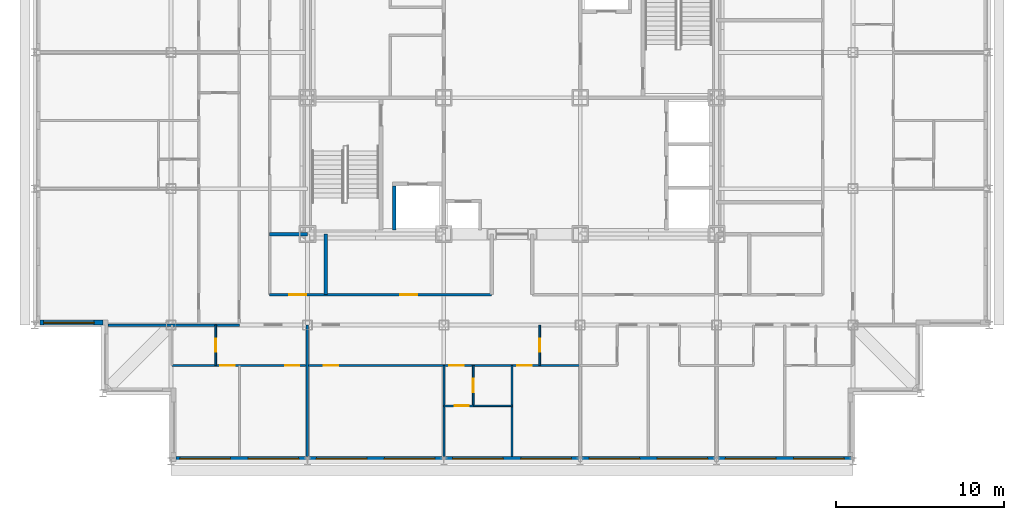
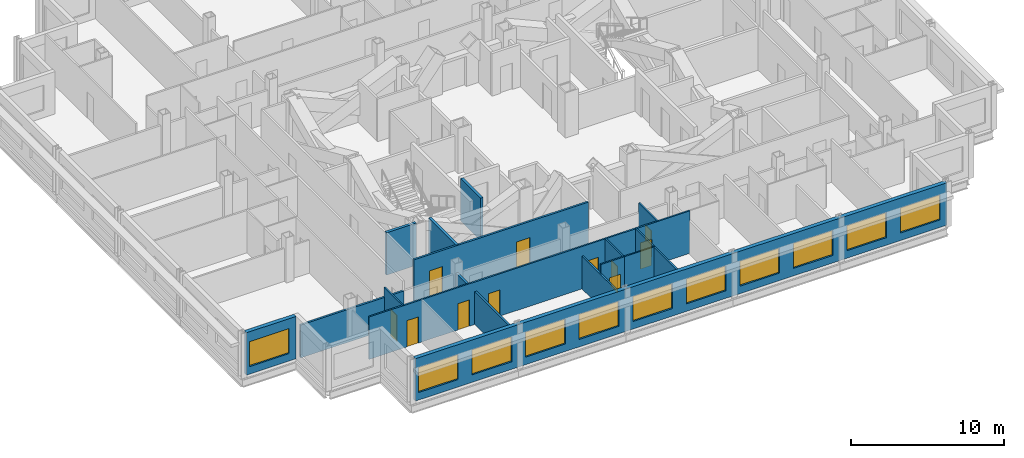
# One storey, part 4 of 12: 16 walls, 11 doors, 11 windows, 22 openings.
"""IFC4 building model written with IfcOpenShell, lengths in metres."""

from ifc_helpers import new_model, si_unit, direction, frame, frame_2d, origin, place, context, subcontext, project, spatial, rectangle, extrude, material, layer, layer_set, type_object, element, fill, save


model = new_model("IFC4")

# Units and contexts
model_context = context("Model", 3, precision=1e-05, world=origin(), true_north=direction((0.0, 1.0)))
body_context = subcontext(model_context, "Body", "Model", "MODEL_VIEW")
ifc_project = project(units=[si_unit("LENGTHUNIT", "METRE"), si_unit("AREAUNIT", "SQUARE_METRE"), si_unit("VOLUMEUNIT", "CUBIC_METRE"), si_unit("PLANEANGLEUNIT", "RADIAN"), si_unit("MASSUNIT", "GRAM", prefix="KILO")], contexts=[model_context])

# Site, building, storey
site_placement = place(None, origin())
site = spatial("IfcSite", under=ifc_project, at=site_placement, CompositionType="ELEMENT")
building_placement = place(site_placement, origin())
building = spatial("IfcBuilding", under=site, at=building_placement, Name="Kopane Lantern Tower", CompositionType="ELEMENT")
storey_placement = place(building_placement, frame((0.0, 0.0, 220.800048828125)))
storey = spatial("IfcBuildingStorey", under=building, at=storey_placement, Name="L57", CompositionType="ELEMENT", Elevation=220.800048828125)

# Walls
ifc_material_1 = material(Name="Gypsum board on steel studs", Category="steel")
ifc_layer_1 = layer(ifc_material_1, 0.1201171875)
ifc_layer_set_1 = layer_set([ifc_layer_1], Name="APARTMENT INTERNAL WALL 120")
wall_type_1 = type_object("IfcWallType", Name="APARTMENT INTERNAL WALL 120", PredefinedType="PARTITIONING", material=ifc_layer_set_1)
wall_1_placement = place(storey_placement, frame((24.300048828125, 16.5, 0.0), z_axis=(0.0, 0.0, 1.0), x_axis=(0.0, -1.0, 0.0)))
element("IfcWall", 1, at=wall_1_placement, inside=storey, type_object=wall_type_1, Name="Apartment Internal Wall 120 L57", PredefinedType="PARTITIONING", context=body_context, shape_type="SweptSolid", body=[
    extrude(rectangle(XDim=5.39990234375, YDim=0.1201171875, at=frame_2d((2.699951171875, 0.0))), origin(), (0.0, 0.0, 1.0), 2.627685546875),
])
wall_2_placement = place(storey_placement, frame((28.35009765625, 16.5, 0.0), z_axis=(0.0, 0.0, 1.0), x_axis=(0.0, -1.0, 0.0)))
element("IfcWall", 2, at=wall_2_placement, inside=storey, type_object=wall_type_1, Name="Apartment Internal Wall 120 L57", PredefinedType="PARTITIONING", context=body_context, shape_type="SweptSolid", body=[
    extrude(rectangle(XDim=5.39990234375, YDim=0.1201171875, at=frame_2d((2.699951171875, 0.0))), origin(), (0.0, 0.0, 1.0), 3.389892578125),
])

# Wall, openings, doors
wall_3_placement = place(storey_placement, frame((8.14990234375, 16.5, 0.0), z_axis=(0.0, 0.0, 1.0), x_axis=(1.0, 0.0, 0.0)))
wall_3 = element("IfcWall", 3, at=wall_3_placement, inside=storey, type_object=wall_type_1, Name="Apartment Internal Wall 120 L57", PredefinedType="PARTITIONING", context=body_context, shape_type="SweptSolid", body=[
    extrude(rectangle(XDim=24.25, YDim=0.1201171875, at=frame_2d((12.125, 0.0))), origin(), (0.0, 0.0, 1.0), 3.389892578125),
])
opening_1_placement = place(wall_3_placement, frame((9.02490234375, 0.0, 0.0)))
opening_1 = element("IfcOpeningElement", 4, at=opening_1_placement, cuts=wall_3, Name="Opening L57-014", PredefinedType="OPENING", context=body_context, shape_type="SweptSolid", body=[
    extrude(rectangle(XDim=0.85009765625, YDim=2.10009765625, at=frame_2d((0.425048828125, 1.050048828125))), frame((0.0, 0.070068359375, 0.0), z_axis=(0.0, -1.0, 0.0), x_axis=(1.0, 0.0, 0.0)), (0.0, 0.0, 1.0), 0.14013671875),
])
opening_2_placement = place(wall_3_placement, frame((16.47509765625, 0.0, 0.0)))
opening_2 = element("IfcOpeningElement", 5, at=opening_2_placement, cuts=wall_3, Name="Opening L57-016", PredefinedType="OPENING", context=body_context, shape_type="SweptSolid", body=[
    extrude(rectangle(XDim=0.85009765625, YDim=2.10009765625, at=frame_2d((0.425048828125, 1.050048828125))), frame((0.0, 0.070068359375, 0.0), z_axis=(0.0, -1.0, 0.0), x_axis=(1.0, 0.0, 0.0)), (0.0, 0.0, 1.0), 0.14013671875),
])
opening_3_placement = place(wall_3_placement, frame((20.52490234375, 0.0, 0.0)))
opening_3 = element("IfcOpeningElement", 6, at=opening_3_placement, cuts=wall_3, Name="Opening L57-017", PredefinedType="OPENING", context=body_context, shape_type="SweptSolid", body=[
    extrude(rectangle(XDim=0.85009765625, YDim=2.10009765625, at=frame_2d((0.425048828125, 1.050048828125))), frame((0.0, 0.070068359375, 0.0), z_axis=(0.0, -1.0, 0.0), x_axis=(1.0, 0.0, 0.0)), (0.0, 0.0, 1.0), 0.14013671875),
])
opening_4_placement = place(wall_3_placement, frame((6.72509765625, 0.0, 0.0)))
opening_4 = element("IfcOpeningElement", 7, at=opening_4_placement, cuts=wall_3, Name="Opening L57-055", PredefinedType="OPENING", context=body_context, shape_type="SweptSolid", body=[
    extrude(rectangle(XDim=0.85009765625, YDim=2.10009765625, at=frame_2d((0.425048828125, 1.050048828125))), frame((0.0, 0.070068359375, 0.0), z_axis=(0.0, -1.0, 0.0), x_axis=(1.0, 0.0, 0.0)), (0.0, 0.0, 1.0), 0.14013671875),
])
opening_5_placement = place(wall_3_placement, frame((2.875, 0.0, 0.0)))
opening_5 = element("IfcOpeningElement", 8, at=opening_5_placement, cuts=wall_3, Name="Opening L57-057", PredefinedType="OPENING", context=body_context, shape_type="SweptSolid", body=[
    extrude(rectangle(XDim=0.85009765625, YDim=2.10009765625, at=frame_2d((0.425048828125, 1.050048828125))), frame((0.0, 0.070068359375, 0.0), z_axis=(0.0, -1.0, 0.0), x_axis=(1.0, 0.0, 0.0)), (0.0, 0.0, 1.0), 0.14013671875),
])
ifc_material_2 = material(Name="Timber door set", Category="wood")
door_type_1 = type_object("IfcDoorType", Name="DOOR D4 850x2100", OperationType="SINGLE_SWING_LEFT", PredefinedType="DOOR", material=ifc_material_2)
door_1_placement = place(opening_1_placement, origin())
door_1 = element("IfcDoor", 9, at=door_1_placement, inside=storey, type_object=door_type_1, Name="Door L57-014", OperationType="SINGLE_SWING_RIGHT", OverallHeight=2.10009765625, OverallWidth=0.85009765625, PredefinedType="DOOR", context=body_context, shape_type="SweptSolid", body=[
    extrude(rectangle(XDim=0.85009765625, YDim=2.10009765625, at=frame_2d((0.425048828125, 1.050048828125))), frame((0.0, 0.02490234375, 0.0), z_axis=(0.0, -1.0, 0.0), x_axis=(1.0, 0.0, 0.0)), (0.0, 0.0, 1.0), 0.050048828125),
])
fill(opening_1, door_1)
door_2_placement = place(opening_2_placement, origin())
door_2 = element("IfcDoor", 10, at=door_2_placement, inside=storey, type_object=door_type_1, Name="Door L57-016", OperationType="SINGLE_SWING_RIGHT", OverallHeight=2.10009765625, OverallWidth=0.85009765625, PredefinedType="DOOR", context=body_context, shape_type="SweptSolid", body=[
    extrude(rectangle(XDim=0.85009765625, YDim=2.10009765625, at=frame_2d((0.425048828125, 1.050048828125))), frame((0.0, 0.02490234375, 0.0), z_axis=(0.0, -1.0, 0.0), x_axis=(1.0, 0.0, 0.0)), (0.0, 0.0, 1.0), 0.050048828125),
])
fill(opening_2, door_2)
door_3_placement = place(opening_3_placement, origin())
door_3 = element("IfcDoor", 11, at=door_3_placement, inside=storey, type_object=door_type_1, Name="Door L57-017", OperationType="SINGLE_SWING_RIGHT", OverallHeight=2.10009765625, OverallWidth=0.85009765625, PredefinedType="DOOR", context=body_context, shape_type="SweptSolid", body=[
    extrude(rectangle(XDim=0.85009765625, YDim=2.10009765625, at=frame_2d((0.425048828125, 1.050048828125))), frame((0.0, 0.02490234375, 0.0), z_axis=(0.0, -1.0, 0.0), x_axis=(1.0, 0.0, 0.0)), (0.0, 0.0, 1.0), 0.050048828125),
])
fill(opening_3, door_3)
door_4_placement = place(opening_4_placement, origin())
door_4 = element("IfcDoor", 12, at=door_4_placement, inside=storey, type_object=door_type_1, Name="Door L57-055", OperationType="SINGLE_SWING_RIGHT", OverallHeight=2.10009765625, OverallWidth=0.85009765625, PredefinedType="DOOR", context=body_context, shape_type="SweptSolid", body=[
    extrude(rectangle(XDim=0.85009765625, YDim=2.10009765625, at=frame_2d((0.425048828125, 1.050048828125))), frame((0.0, 0.02490234375, 0.0), z_axis=(0.0, -1.0, 0.0), x_axis=(1.0, 0.0, 0.0)), (0.0, 0.0, 1.0), 0.050048828125),
])
fill(opening_4, door_4)
door_5_placement = place(opening_5_placement, origin())
door_5 = element("IfcDoor", 13, at=door_5_placement, inside=storey, type_object=door_type_1, Name="Door L57-057", OperationType="SINGLE_SWING_LEFT", OverallHeight=2.10009765625, OverallWidth=0.85009765625, PredefinedType="DOOR", context=body_context, shape_type="SweptSolid", body=[
    extrude(rectangle(XDim=0.85009765625, YDim=2.10009765625, at=frame_2d((0.425048828125, 1.050048828125))), frame((0.0, 0.02490234375, 0.0), z_axis=(0.0, -1.0, 0.0), x_axis=(1.0, 0.0, 0.0)), (0.0, 0.0, 1.0), 0.050048828125),
])
fill(opening_5, door_5)

# Wall, opening, door
wall_4_placement = place(storey_placement, frame((26.06005859375, 14.10009765625, 0.0), z_axis=(0.0, 0.0, 1.0), x_axis=(-1.0, 0.0, 0.0)))
wall_4 = element("IfcWall", 14, at=wall_4_placement, inside=storey, type_object=wall_type_1, Name="Apartment Internal Wall 120 L57", PredefinedType="PARTITIONING", context=body_context, shape_type="SweptSolid", body=[
    extrude(rectangle(XDim=1.760009765625, YDim=0.1201171875, at=frame_2d((0.8798828125, 0.0))), origin(), (0.0, 0.0, 1.0), 3.389892578125),
])
opening_6_placement = place(wall_4_placement, frame((0.27490234375, 0.0, 0.0)))
opening_6 = element("IfcOpeningElement", 15, at=opening_6_placement, cuts=wall_4, Name="Opening L57-069", PredefinedType="OPENING", context=body_context, shape_type="SweptSolid", body=[
    extrude(rectangle(XDim=0.85009765625, YDim=2.10009765625, at=frame_2d((0.425048828125, 1.050048828125))), frame((0.0, 0.070068359375, 0.0), z_axis=(0.0, -1.0, 0.0), x_axis=(1.0, 0.0, 0.0)), (0.0, 0.0, 1.0), 0.14013671875),
])
door_6_placement = place(opening_6_placement, origin())
door_6 = element("IfcDoor", 16, at=door_6_placement, inside=storey, type_object=door_type_1, Name="Door L57-069", OperationType="SINGLE_SWING_RIGHT", OverallHeight=2.10009765625, OverallWidth=0.85009765625, PredefinedType="DOOR", context=body_context, shape_type="SweptSolid", body=[
    extrude(rectangle(XDim=0.85009765625, YDim=2.10009765625, at=frame_2d((0.425048828125, 1.050048828125))), frame((0.0, 0.02490234375, 0.0), z_axis=(0.0, -1.0, 0.0), x_axis=(1.0, 0.0, 0.0)), (0.0, 0.0, 1.0), 0.050048828125),
])
fill(opening_6, door_6)

ifc_material_3 = material(Name="Moisture-resistant board on steel studs", Category="steel")
ifc_layer_2 = layer(ifc_material_3, 0.10009765625)
ifc_layer_set_2 = layer_set([ifc_layer_2], Name="BATHROOM WALL 100")
wall_type_2 = type_object("IfcWallType", Name="BATHROOM WALL 100", PredefinedType="PARTITIONING", material=ifc_layer_set_2)
wall_5_placement = place(storey_placement, frame((30.0, 18.89990234375, 0.0), z_axis=(0.0, 0.0, 1.0), x_axis=(0.0, -1.0, 0.0)))
wall_5 = element("IfcWall", 17, at=wall_5_placement, inside=storey, type_object=wall_type_2, Name="Bathroom Wall 100 L57", PredefinedType="PARTITIONING", context=body_context, shape_type="SweptSolid", body=[
    extrude(rectangle(XDim=2.39990234375, YDim=0.10009765625, at=frame_2d((1.199951171875, 0.0))), origin(), (0.0, 0.0, 1.0), 3.389892578125),
])
opening_7_placement = place(wall_5_placement, frame((0.800048828125, 0.0, 0.0)))
opening_7 = element("IfcOpeningElement", 18, at=opening_7_placement, cuts=wall_5, Name="Opening L57-012", PredefinedType="OPENING", context=body_context, shape_type="SweptSolid", body=[
    extrude(rectangle(XDim=0.800048828125, YDim=2.10009765625, at=frame_2d((0.39990234375, 1.050048828125))), frame((0.0, 0.06005859375, 0.0), z_axis=(0.0, -1.0, 0.0), x_axis=(1.0, 0.0, 0.0)), (0.0, 0.0, 1.0), 0.1201171875),
])
ifc_material_4 = material(Name="Timber door set", Category="wood")
door_type_2 = type_object("IfcDoorType", Name="DOOR D2 800x2100", OperationType="SINGLE_SWING_LEFT", PredefinedType="DOOR", material=ifc_material_4)
door_7_placement = place(opening_7_placement, origin())
door_7 = element("IfcDoor", 19, at=door_7_placement, inside=storey, type_object=door_type_2, Name="Door L57-012", OperationType="SINGLE_SWING_LEFT", OverallHeight=2.10009765625, OverallWidth=0.800048828125, PredefinedType="DOOR", context=body_context, shape_type="SweptSolid", body=[
    extrude(rectangle(XDim=0.800048828125, YDim=2.10009765625, at=frame_2d((0.39990234375, 1.050048828125))), frame((0.0, 0.02490234375, 0.0), z_axis=(0.0, -1.0, 0.0), x_axis=(1.0, 0.0, 0.0)), (0.0, 0.0, 1.0), 0.050048828125),
])
fill(opening_7, door_7)

wall_6_placement = place(storey_placement, frame((26.050048828125, 16.5, 0.0), z_axis=(0.0, 0.0, 1.0), x_axis=(0.0, -1.0, 0.0)))
wall_6 = element("IfcWall", 20, at=wall_6_placement, inside=storey, type_object=wall_type_2, Name="Bathroom Wall 100 L57", PredefinedType="PARTITIONING", context=body_context, shape_type="SweptSolid", body=[
    extrude(rectangle(XDim=2.39990234375, YDim=0.10009765625, at=frame_2d((1.199951171875, 0.0))), origin(), (0.0, 0.0, 1.0), 3.389892578125),
])
opening_8_placement = place(wall_6_placement, frame((0.800048828125, 0.0, 0.0)))
opening_8 = element("IfcOpeningElement", 21, at=opening_8_placement, cuts=wall_6, Name="Opening L57-015", PredefinedType="OPENING", context=body_context, shape_type="SweptSolid", body=[
    extrude(rectangle(XDim=0.800048828125, YDim=2.10009765625, at=frame_2d((0.39990234375, 1.050048828125))), frame((0.0, 0.06005859375, 0.0), z_axis=(0.0, -1.0, 0.0), x_axis=(1.0, 0.0, 0.0)), (0.0, 0.0, 1.0), 0.1201171875),
])
door_8_placement = place(opening_8_placement, origin())
door_8 = element("IfcDoor", 22, at=door_8_placement, inside=storey, type_object=door_type_2, Name="Door L57-015", OperationType="SINGLE_SWING_LEFT", OverallHeight=2.10009765625, OverallWidth=0.800048828125, PredefinedType="DOOR", context=body_context, shape_type="SweptSolid", body=[
    extrude(rectangle(XDim=0.800048828125, YDim=2.10009765625, at=frame_2d((0.39990234375, 1.050048828125))), frame((0.0, 0.02490234375, 0.0), z_axis=(0.0, -1.0, 0.0), x_axis=(1.0, 0.0, 0.0)), (0.0, 0.0, 1.0), 0.050048828125),
])
fill(opening_8, door_8)

# Wall
wall_7_placement = place(storey_placement, frame((26.050048828125, 14.10009765625, 0.0), z_axis=(0.0, 0.0, 1.0), x_axis=(1.0, 0.0, 0.0)))
element("IfcWall", 23, at=wall_7_placement, inside=storey, type_object=wall_type_2, Name="Bathroom Wall 100 L57", PredefinedType="PARTITIONING", context=body_context, shape_type="SweptSolid", body=[
    extrude(rectangle(XDim=2.300048828125, YDim=0.10009765625, at=frame_2d((1.14990234375, 0.0))), origin(), (0.0, 0.0, 1.0), 3.389892578125),
])

# Wall, opening, door
wall_8_placement = place(storey_placement, frame((10.75, 18.89990234375, 0.0), z_axis=(0.0, 0.0, 1.0), x_axis=(0.0, -1.0, 0.0)))
wall_8 = element("IfcWall", 24, at=wall_8_placement, inside=storey, type_object=wall_type_2, Name="Bathroom Wall 100 L57", PredefinedType="PARTITIONING", context=body_context, shape_type="SweptSolid", body=[
    extrude(rectangle(XDim=2.39990234375, YDim=0.10009765625, at=frame_2d((1.199951171875, 0.0))), origin(), (0.0, 0.0, 1.0), 3.389892578125),
])
opening_9_placement = place(wall_8_placement, frame((0.800048828125, 0.0, 0.0)))
opening_9 = element("IfcOpeningElement", 25, at=opening_9_placement, cuts=wall_8, Name="Opening L57-056", PredefinedType="OPENING", context=body_context, shape_type="SweptSolid", body=[
    extrude(rectangle(XDim=0.800048828125, YDim=2.10009765625, at=frame_2d((0.39990234375, 1.050048828125))), frame((0.0, 0.06005859375, 0.0), z_axis=(0.0, -1.0, 0.0), x_axis=(1.0, 0.0, 0.0)), (0.0, 0.0, 1.0), 0.1201171875),
])
door_9_placement = place(opening_9_placement, origin())
door_9 = element("IfcDoor", 26, at=door_9_placement, inside=storey, type_object=door_type_2, Name="Door L57-056", OperationType="SINGLE_SWING_RIGHT", OverallHeight=2.10009765625, OverallWidth=0.800048828125, PredefinedType="DOOR", context=body_context, shape_type="SweptSolid", body=[
    extrude(rectangle(XDim=0.800048828125, YDim=2.10009765625, at=frame_2d((0.39990234375, 1.050048828125))), frame((0.0, 0.02490234375, 0.0), z_axis=(0.0, -1.0, 0.0), x_axis=(1.0, 0.0, 0.0)), (0.0, 0.0, 1.0), 0.050048828125),
])
fill(opening_9, door_9)

# Wall, openings, doors
ifc_material_5 = material(Name="Gypsum board on steel studs", Category="steel")
ifc_layer_3 = layer(ifc_material_5, 0.14990234375)
ifc_layer_set_3 = layer_set([ifc_layer_3], Name="CORRIDOR WALL 150 EI 60")
wall_type_3 = type_object("IfcWallType", Name="CORRIDOR WALL 150 EI 60", PredefinedType="PARTITIONING", material=ifc_layer_set_3)
wall_9_placement = place(storey_placement, frame((13.949951171875, 20.699951171875, 0.0), z_axis=(0.0, 0.0, 1.0), x_axis=(1.0, 0.0, 0.0)))
wall_9 = element("IfcWall", 27, at=wall_9_placement, inside=storey, type_object=wall_type_3, Name="Corridor Wall 150 Ei 60 L57", PredefinedType="PARTITIONING", context=body_context, shape_type="SweptSolid", body=[
    extrude(rectangle(XDim=13.18994140625, YDim=0.14990234375, at=frame_2d((6.594970703125, 0.0))), origin(), (0.0, 0.0, 1.0), 3.389892578125),
])
opening_10_placement = place(wall_9_placement, frame((1.166748046875, 0.0, 0.0)))
opening_10 = element("IfcOpeningElement", 28, at=opening_10_placement, cuts=wall_9, Name="Opening L57-007", PredefinedType="OPENING", context=body_context, shape_type="SweptSolid", body=[
    extrude(rectangle(XDim=1.0, YDim=2.10009765625, at=frame_2d((0.5, 1.050048828125))), frame((0.0, 0.0849609375, 0.0), z_axis=(0.0, -1.0, 0.0), x_axis=(1.0, 0.0, 0.0)), (0.0, 0.0, 1.0), 0.169921875),
])
opening_11_placement = place(wall_9_placement, frame((7.7666015625, 0.0, 0.0)))
opening_11 = element("IfcOpeningElement", 29, at=opening_11_placement, cuts=wall_9, Name="Opening L57-008", PredefinedType="OPENING", context=body_context, shape_type="SweptSolid", body=[
    extrude(rectangle(XDim=1.0, YDim=2.10009765625, at=frame_2d((0.5, 1.050048828125))), frame((0.0, 0.0849609375, 0.0), z_axis=(0.0, -1.0, 0.0), x_axis=(1.0, 0.0, 0.0)), (0.0, 0.0, 1.0), 0.169921875),
])
ifc_material_6 = material(Name="Steel door set", Category="steel")
door_type_3 = type_object("IfcDoorType", Name="DOOR D5 1000x2100 FD60", OperationType="SINGLE_SWING_LEFT", PredefinedType="DOOR", material=ifc_material_6)
door_10_placement = place(opening_10_placement, origin())
door_10 = element("IfcDoor", 30, at=door_10_placement, inside=storey, type_object=door_type_3, Name="Door L57-007", OperationType="SINGLE_SWING_LEFT", OverallHeight=2.10009765625, OverallWidth=1.0, PredefinedType="DOOR", context=body_context, shape_type="SweptSolid", body=[
    extrude(rectangle(XDim=1.0, YDim=2.10009765625, at=frame_2d((0.5, 1.050048828125))), frame((0.0, 0.02490234375, 0.0), z_axis=(0.0, -1.0, 0.0), x_axis=(1.0, 0.0, 0.0)), (0.0, 0.0, 1.0), 0.050048828125),
])
fill(opening_10, door_10)
door_11_placement = place(opening_11_placement, origin())
door_11 = element("IfcDoor", 31, at=door_11_placement, inside=storey, type_object=door_type_3, Name="Door L57-008", OperationType="SINGLE_SWING_RIGHT", OverallHeight=2.10009765625, OverallWidth=1.0, PredefinedType="DOOR", context=body_context, shape_type="SweptSolid", body=[
    extrude(rectangle(XDim=1.0, YDim=2.10009765625, at=frame_2d((0.5, 1.050048828125))), frame((0.0, 0.02490234375, 0.0), z_axis=(0.0, -1.0, 0.0), x_axis=(1.0, 0.0, 0.0)), (0.0, 0.0, 1.0), 0.050048828125),
])
fill(opening_11, door_11)

# Walls
ifc_material_7 = material(Name="Gypsum board on steel studs", Category="steel")
ifc_layer_4 = layer(ifc_material_7, 0.14990234375)
ifc_layer_set_4 = layer_set([ifc_layer_4], Name="DEMISING WALL 150 EI 60")
wall_type_4 = type_object("IfcWallType", Name="DEMISING WALL 150 EI 60", PredefinedType="PARTITIONING", material=ifc_layer_set_4)
for number, where, z_axis, x_axis, name in (
    (32, (4.35009765625, 18.89990234375, 0.0), (0.0, 0.0, 1.0), (1.0, 0.0, 0.0), "Demising Wall 150 Ei 60 L57"),
    (33, (16.199951171875, 18.89990234375, 0.0), (0.0, 0.0, 1.0), (0.0, -1.0, 0.0), "Demising Wall 150 Ei 60 L57"),
):
    element("IfcWall", number, at=place(storey_placement, frame(where, z_axis=z_axis, x_axis=x_axis)), inside=storey, type_object=wall_type_4, Name=name, PredefinedType="PARTITIONING", context=body_context, shape_type="SweptSolid", body=[
        extrude(rectangle(XDim=7.7998046875, YDim=0.14990234375, at=frame_2d((3.89990234375, 0.0))), origin(), (0.0, 0.0, 1.0), 2.627685546875),
    ])

# Wall, openings, windows
ifc_material_8 = material(Name="Terracotta rainscreen on light steel framing", Category="masonry")
ifc_layer_5 = layer(ifc_material_8, 0.300048828125)
ifc_layer_set_5 = layer_set([ifc_layer_5], Name="EXTERNAL WALL EW1 300 TERRACOTTA")
wall_type_5 = type_object("IfcWallType", Name="EXTERNAL WALL EW1 300 TERRACOTTA", PredefinedType="SOLIDWALL", material=ifc_layer_set_5)
wall_10_placement = place(storey_placement, frame((8.39990234375, 10.949951171875, 0.0), z_axis=(0.0, 0.0, 1.0), x_axis=(1.0, 0.0, 0.0)))
wall_10 = element("IfcWall", 34, at=wall_10_placement, inside=storey, type_object=wall_type_5, Name="External wall S L57", PredefinedType="SOLIDWALL", context=body_context, shape_type="SweptSolid", body=[
    extrude(rectangle(XDim=40.2001953125, YDim=0.300048828125, at=frame_2d((20.10009765625, 0.0))), origin(), (0.0, 0.0, 1.0), 3.389892578125),
])
opening_12_placement = place(wall_10_placement, frame((0.22509765625, 0.0, 0.60009765625)))
opening_12 = element("IfcOpeningElement", 35, at=opening_12_placement, cuts=wall_10, Name="Opening WR300200", PredefinedType="OPENING", context=body_context, shape_type="SweptSolid", body=[
    extrude(rectangle(XDim=3.0, YDim=2.0, at=frame_2d((1.5, 1.0))), frame((0.0, 0.159912109375, 0.0), z_axis=(0.0, -1.0, 0.0), x_axis=(1.0, 0.0, 0.0)), (0.0, 0.0, 1.0), 0.320068359375),
])
opening_13_placement = place(wall_10_placement, frame((4.27490234375, 0.0, 0.60009765625)))
opening_13 = element("IfcOpeningElement", 36, at=opening_13_placement, cuts=wall_10, Name="Opening WR300200", PredefinedType="OPENING", context=body_context, shape_type="SweptSolid", body=[
    extrude(rectangle(XDim=3.0, YDim=2.0, at=frame_2d((1.5, 1.0))), frame((0.0, 0.159912109375, 0.0), z_axis=(0.0, -1.0, 0.0), x_axis=(1.0, 0.0, 0.0)), (0.0, 0.0, 1.0), 0.320068359375),
])
opening_14_placement = place(wall_10_placement, frame((8.324951171875, 0.0, 0.60009765625)))
opening_14 = element("IfcOpeningElement", 37, at=opening_14_placement, cuts=wall_10, Name="Opening WR300200", PredefinedType="OPENING", context=body_context, shape_type="SweptSolid", body=[
    extrude(rectangle(XDim=3.0, YDim=2.0, at=frame_2d((1.5, 1.0))), frame((0.0, 0.159912109375, 0.0), z_axis=(0.0, -1.0, 0.0), x_axis=(1.0, 0.0, 0.0)), (0.0, 0.0, 1.0), 0.320068359375),
])
opening_15_placement = place(wall_10_placement, frame((12.375, 0.0, 0.60009765625)))
opening_15 = element("IfcOpeningElement", 38, at=opening_15_placement, cuts=wall_10, Name="Opening WR300200", PredefinedType="OPENING", context=body_context, shape_type="SweptSolid", body=[
    extrude(rectangle(XDim=3.0, YDim=2.0, at=frame_2d((1.5, 1.0))), frame((0.0, 0.159912109375, 0.0), z_axis=(0.0, -1.0, 0.0), x_axis=(1.0, 0.0, 0.0)), (0.0, 0.0, 1.0), 0.320068359375),
])
opening_16_placement = place(wall_10_placement, frame((16.425048828125, 0.0, 0.60009765625)))
opening_16 = element("IfcOpeningElement", 39, at=opening_16_placement, cuts=wall_10, Name="Opening WR300200", PredefinedType="OPENING", context=body_context, shape_type="SweptSolid", body=[
    extrude(rectangle(XDim=3.0, YDim=2.0, at=frame_2d((1.5, 1.0))), frame((0.0, 0.159912109375, 0.0), z_axis=(0.0, -1.0, 0.0), x_axis=(1.0, 0.0, 0.0)), (0.0, 0.0, 1.0), 0.320068359375),
])
opening_17_placement = place(wall_10_placement, frame((20.47509765625, 0.0, 0.60009765625)))
opening_17 = element("IfcOpeningElement", 40, at=opening_17_placement, cuts=wall_10, Name="Opening WR300200", PredefinedType="OPENING", context=body_context, shape_type="SweptSolid", body=[
    extrude(rectangle(XDim=3.0, YDim=2.0, at=frame_2d((1.5, 1.0))), frame((0.0, 0.159912109375, 0.0), z_axis=(0.0, -1.0, 0.0), x_axis=(1.0, 0.0, 0.0)), (0.0, 0.0, 1.0), 0.320068359375),
])
opening_18_placement = place(wall_10_placement, frame((24.52490234375, 0.0, 0.60009765625)))
opening_18 = element("IfcOpeningElement", 41, at=opening_18_placement, cuts=wall_10, Name="Opening WR300200", PredefinedType="OPENING", context=body_context, shape_type="SweptSolid", body=[
    extrude(rectangle(XDim=3.0, YDim=2.0, at=frame_2d((1.5, 1.0))), frame((0.0, 0.159912109375, 0.0), z_axis=(0.0, -1.0, 0.0), x_axis=(1.0, 0.0, 0.0)), (0.0, 0.0, 1.0), 0.320068359375),
])
opening_19_placement = place(wall_10_placement, frame((28.574951171875, 0.0, 0.60009765625)))
opening_19 = element("IfcOpeningElement", 42, at=opening_19_placement, cuts=wall_10, Name="Opening WR300200", PredefinedType="OPENING", context=body_context, shape_type="SweptSolid", body=[
    extrude(rectangle(XDim=3.0, YDim=2.0, at=frame_2d((1.5, 1.0))), frame((0.0, 0.159912109375, 0.0), z_axis=(0.0, -1.0, 0.0), x_axis=(1.0, 0.0, 0.0)), (0.0, 0.0, 1.0), 0.320068359375),
])
opening_20_placement = place(wall_10_placement, frame((32.625, 0.0, 0.60009765625)))
opening_20 = element("IfcOpeningElement", 43, at=opening_20_placement, cuts=wall_10, Name="Opening WR300200", PredefinedType="OPENING", context=body_context, shape_type="SweptSolid", body=[
    extrude(rectangle(XDim=3.0, YDim=2.0, at=frame_2d((1.5, 1.0))), frame((0.0, 0.159912109375, 0.0), z_axis=(0.0, -1.0, 0.0), x_axis=(1.0, 0.0, 0.0)), (0.0, 0.0, 1.0), 0.320068359375),
])
opening_21_placement = place(wall_10_placement, frame((36.675048828125, 0.0, 0.60009765625)))
opening_21 = element("IfcOpeningElement", 44, at=opening_21_placement, cuts=wall_10, Name="Opening WR300200", PredefinedType="OPENING", context=body_context, shape_type="SweptSolid", body=[
    extrude(rectangle(XDim=3.0, YDim=2.0, at=frame_2d((1.5, 1.0))), frame((0.0, 0.159912109375, 0.0), z_axis=(0.0, -1.0, 0.0), x_axis=(1.0, 0.0, 0.0)), (0.0, 0.0, 1.0), 0.320068359375),
])
ifc_material_9 = material(Name="Aluminium and clear glass", Category="aluminium")
window_type = type_object("IfcWindowType", Name="RIBBON WINDOW WR300200 3000x2000", PartitioningType="SINGLE_PANEL", PredefinedType="WINDOW", material=ifc_material_9)
window_1_placement = place(opening_12_placement, origin())
window_1 = element("IfcWindow", 45, at=window_1_placement, inside=storey, type_object=window_type, Name="Window S L57", OverallHeight=2.0, OverallWidth=3.0, PartitioningType="SINGLE_PANEL", PredefinedType="WINDOW", context=body_context, shape_type="SweptSolid", body=[
    extrude(rectangle(XDim=3.0, YDim=2.0, at=frame_2d((1.5, 1.0))), frame((0.0, 0.030029296875, 0.0), z_axis=(0.0, -1.0, 0.0), x_axis=(1.0, 0.0, 0.0)), (0.0, 0.0, 1.0), 0.06005859375),
])
fill(opening_12, window_1)
window_2_placement = place(opening_13_placement, origin())
window_2 = element("IfcWindow", 46, at=window_2_placement, inside=storey, type_object=window_type, Name="Window S L57", OverallHeight=2.0, OverallWidth=3.0, PartitioningType="SINGLE_PANEL", PredefinedType="WINDOW", context=body_context, shape_type="SweptSolid", body=[
    extrude(rectangle(XDim=3.0, YDim=2.0, at=frame_2d((1.5, 1.0))), frame((0.0, 0.030029296875, 0.0), z_axis=(0.0, -1.0, 0.0), x_axis=(1.0, 0.0, 0.0)), (0.0, 0.0, 1.0), 0.06005859375),
])
fill(opening_13, window_2)
window_3_placement = place(opening_14_placement, origin())
window_3 = element("IfcWindow", 47, at=window_3_placement, inside=storey, type_object=window_type, Name="Window S L57", OverallHeight=2.0, OverallWidth=3.0, PartitioningType="SINGLE_PANEL", PredefinedType="WINDOW", context=body_context, shape_type="SweptSolid", body=[
    extrude(rectangle(XDim=3.0, YDim=2.0, at=frame_2d((1.5, 1.0))), frame((0.0, 0.030029296875, 0.0), z_axis=(0.0, -1.0, 0.0), x_axis=(1.0, 0.0, 0.0)), (0.0, 0.0, 1.0), 0.06005859375),
])
fill(opening_14, window_3)
window_4_placement = place(opening_15_placement, origin())
window_4 = element("IfcWindow", 48, at=window_4_placement, inside=storey, type_object=window_type, Name="Window S L57", OverallHeight=2.0, OverallWidth=3.0, PartitioningType="SINGLE_PANEL", PredefinedType="WINDOW", context=body_context, shape_type="SweptSolid", body=[
    extrude(rectangle(XDim=3.0, YDim=2.0, at=frame_2d((1.5, 1.0))), frame((0.0, 0.030029296875, 0.0), z_axis=(0.0, -1.0, 0.0), x_axis=(1.0, 0.0, 0.0)), (0.0, 0.0, 1.0), 0.06005859375),
])
fill(opening_15, window_4)
window_5_placement = place(opening_16_placement, origin())
window_5 = element("IfcWindow", 49, at=window_5_placement, inside=storey, type_object=window_type, Name="Window S L57", OverallHeight=2.0, OverallWidth=3.0, PartitioningType="SINGLE_PANEL", PredefinedType="WINDOW", context=body_context, shape_type="SweptSolid", body=[
    extrude(rectangle(XDim=3.0, YDim=2.0, at=frame_2d((1.5, 1.0))), frame((0.0, 0.030029296875, 0.0), z_axis=(0.0, -1.0, 0.0), x_axis=(1.0, 0.0, 0.0)), (0.0, 0.0, 1.0), 0.06005859375),
])
fill(opening_16, window_5)
window_6_placement = place(opening_17_placement, origin())
window_6 = element("IfcWindow", 50, at=window_6_placement, inside=storey, type_object=window_type, Name="Window S L57", OverallHeight=2.0, OverallWidth=3.0, PartitioningType="SINGLE_PANEL", PredefinedType="WINDOW", context=body_context, shape_type="SweptSolid", body=[
    extrude(rectangle(XDim=3.0, YDim=2.0, at=frame_2d((1.5, 1.0))), frame((0.0, 0.030029296875, 0.0), z_axis=(0.0, -1.0, 0.0), x_axis=(1.0, 0.0, 0.0)), (0.0, 0.0, 1.0), 0.06005859375),
])
fill(opening_17, window_6)
window_7_placement = place(opening_18_placement, origin())
window_7 = element("IfcWindow", 51, at=window_7_placement, inside=storey, type_object=window_type, Name="Window S L57", OverallHeight=2.0, OverallWidth=3.0, PartitioningType="SINGLE_PANEL", PredefinedType="WINDOW", context=body_context, shape_type="SweptSolid", body=[
    extrude(rectangle(XDim=3.0, YDim=2.0, at=frame_2d((1.5, 1.0))), frame((0.0, 0.030029296875, 0.0), z_axis=(0.0, -1.0, 0.0), x_axis=(1.0, 0.0, 0.0)), (0.0, 0.0, 1.0), 0.06005859375),
])
fill(opening_18, window_7)
window_8_placement = place(opening_19_placement, origin())
window_8 = element("IfcWindow", 52, at=window_8_placement, inside=storey, type_object=window_type, Name="Window S L57", OverallHeight=2.0, OverallWidth=3.0, PartitioningType="SINGLE_PANEL", PredefinedType="WINDOW", context=body_context, shape_type="SweptSolid", body=[
    extrude(rectangle(XDim=3.0, YDim=2.0, at=frame_2d((1.5, 1.0))), frame((0.0, 0.030029296875, 0.0), z_axis=(0.0, -1.0, 0.0), x_axis=(1.0, 0.0, 0.0)), (0.0, 0.0, 1.0), 0.06005859375),
])
fill(opening_19, window_8)
window_9_placement = place(opening_20_placement, origin())
window_9 = element("IfcWindow", 53, at=window_9_placement, inside=storey, type_object=window_type, Name="Window S L57", OverallHeight=2.0, OverallWidth=3.0, PartitioningType="SINGLE_PANEL", PredefinedType="WINDOW", context=body_context, shape_type="SweptSolid", body=[
    extrude(rectangle(XDim=3.0, YDim=2.0, at=frame_2d((1.5, 1.0))), frame((0.0, 0.030029296875, 0.0), z_axis=(0.0, -1.0, 0.0), x_axis=(1.0, 0.0, 0.0)), (0.0, 0.0, 1.0), 0.06005859375),
])
fill(opening_20, window_9)
window_10_placement = place(opening_21_placement, origin())
window_10 = element("IfcWindow", 54, at=window_10_placement, inside=storey, type_object=window_type, Name="Window S L57", OverallHeight=2.0, OverallWidth=3.0, PartitioningType="SINGLE_PANEL", PredefinedType="WINDOW", context=body_context, shape_type="SweptSolid", body=[
    extrude(rectangle(XDim=3.0, YDim=2.0, at=frame_2d((1.5, 1.0))), frame((0.0, 0.030029296875, 0.0), z_axis=(0.0, -1.0, 0.0), x_axis=(1.0, 0.0, 0.0)), (0.0, 0.0, 1.0), 0.06005859375),
])
fill(opening_21, window_10)

# Wall, opening, window
wall_11_placement = place(storey_placement, frame((0.300048828125, 19.050048828125, 0.0), z_axis=(0.0, 0.0, 1.0), x_axis=(1.0, 0.0, 0.0)))
wall_11 = element("IfcWall", 55, at=wall_11_placement, inside=storey, type_object=wall_type_5, Name="External wall S L57", PredefinedType="SOLIDWALL", context=body_context, shape_type="SweptSolid", body=[
    extrude(rectangle(XDim=3.75, YDim=0.300048828125, at=frame_2d((1.875, 0.0))), origin(), (0.0, 0.0, 1.0), 3.389892578125),
])
opening_22_placement = place(wall_11_placement, frame((0.22509765625, 0.0, 0.60009765625)))
opening_22 = element("IfcOpeningElement", 56, at=opening_22_placement, cuts=wall_11, Name="Opening WR300200", PredefinedType="OPENING", context=body_context, shape_type="SweptSolid", body=[
    extrude(rectangle(XDim=3.0, YDim=2.0, at=frame_2d((1.5, 1.0))), frame((0.0, 0.159912109375, 0.0), z_axis=(0.0, -1.0, 0.0), x_axis=(1.0, 0.0, 0.0)), (0.0, 0.0, 1.0), 0.320068359375),
])
window_11_placement = place(opening_22_placement, origin())
window_11 = element("IfcWindow", 57, at=window_11_placement, inside=storey, type_object=window_type, Name="Window S L57", OverallHeight=2.0, OverallWidth=3.0, PartitioningType="SINGLE_PANEL", PredefinedType="WINDOW", context=body_context, shape_type="SweptSolid", body=[
    extrude(rectangle(XDim=3.0, YDim=2.0, at=frame_2d((1.5, 1.0))), frame((0.0, 0.030029296875, 0.0), z_axis=(0.0, -1.0, 0.0), x_axis=(1.0, 0.0, 0.0)), (0.0, 0.0, 1.0), 0.06005859375),
])
fill(opening_22, window_11)

# Walls
ifc_material_10 = material(Name="Concrete masonry", Category="masonry")
ifc_layer_6 = layer(ifc_material_10, 0.199951171875)
ifc_layer_set_6 = layer_set([ifc_layer_6], Name="PLANT ROOM WALL 200 EI 120")
wall_type_6 = type_object("IfcWallType", Name="PLANT ROOM WALL 200 EI 120", PredefinedType="SOLIDWALL", material=ifc_layer_set_6)
wall_12_placement = place(storey_placement, frame((17.283203125, 20.699951171875, 0.0), z_axis=(0.0, 0.0, 1.0), x_axis=(0.0, 1.0, 0.0)))
element("IfcWall", 58, at=wall_12_placement, inside=storey, type_object=wall_type_6, Name="Plant Room Wall 200 Ei 120 L57", PredefinedType="SOLIDWALL", context=body_context, shape_type="SweptSolid", body=[
    extrude(rectangle(XDim=3.60009765625, YDim=0.199951171875, at=frame_2d((1.800048828125, 0.0))), origin(), (0.0, 0.0, 1.0), 3.389892578125),
])
wall_13_placement = place(storey_placement, frame((13.949951171875, 24.300048828125, 0.0), z_axis=(0.0, 0.0, 1.0), x_axis=(1.0, 0.0, 0.0)))
element("IfcWall", 59, at=wall_13_placement, inside=storey, type_object=wall_type_6, Name="Plant Room Wall 200 Ei 120 L57", PredefinedType="SOLIDWALL", context=body_context, shape_type="SweptSolid", body=[
    extrude(rectangle(XDim=2.25, YDim=0.199951171875, at=frame_2d((1.125, 0.0))), origin(), (0.0, 0.0, 1.0), 3.389892578125),
])
ifc_material_11 = material(Name="Gypsum shaft wall EI 120", Category="gypsum")
ifc_layer_7 = layer(ifc_material_11, 0.199951171875)
ifc_layer_set_7 = layer_set([ifc_layer_7], Name="SHAFT WALL 200 EI 120")
wall_type_7 = type_object("IfcWallType", Name="SHAFT WALL 200 EI 120", PredefinedType="SOLIDWALL", material=ifc_layer_set_7)
wall_14_placement = place(storey_placement, frame((21.35009765625, 24.550048828125, 0.0), z_axis=(0.0, 0.0, 1.0), x_axis=(0.0, 1.0, 0.0)))
element("IfcWall", 60, at=wall_14_placement, inside=storey, type_object=wall_type_7, Name="Core shaft wall L57 XLF1", PredefinedType="SOLIDWALL", context=body_context, shape_type="SweptSolid", body=[
    extrude(rectangle(XDim=2.599853515625, YDim=0.199951171875, at=frame_2d((1.2998046875, 0.0))), origin(), (0.0, 0.0, 1.0), 3.389892578125),
])

save(model, "model.ifc")
